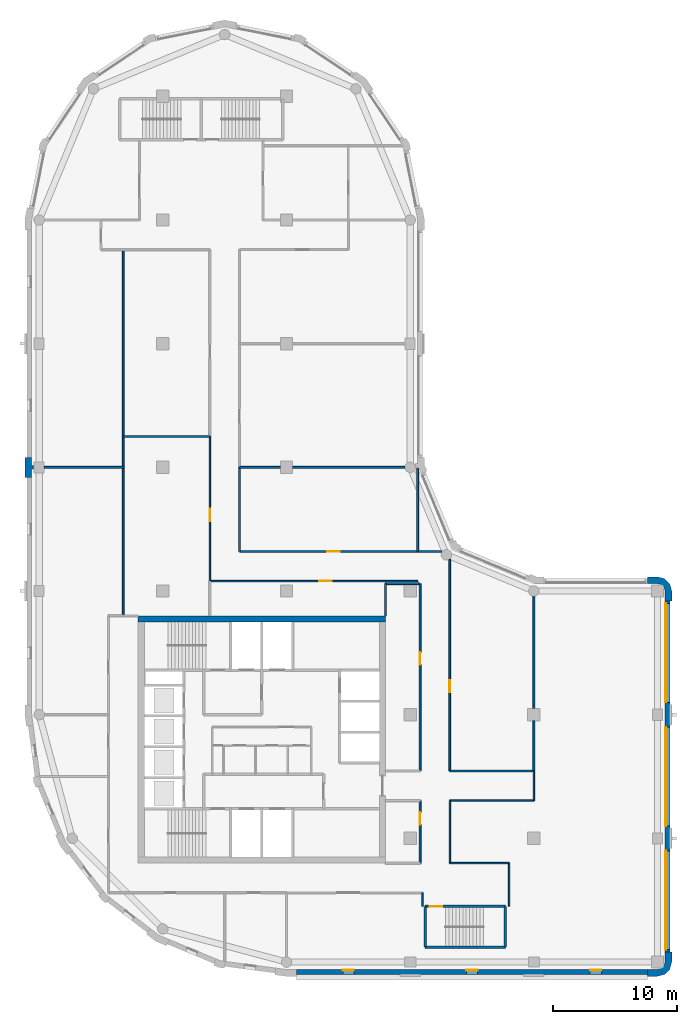
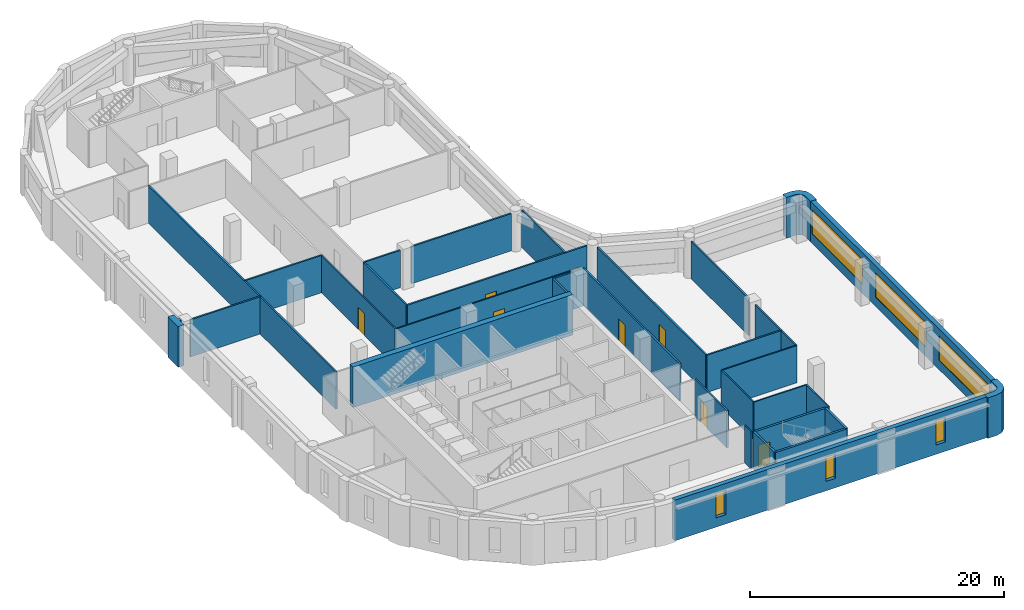
# One storey, part 4 of 9: 34 walls, 7 doors, 6 windows, 13 openings.
"""IFC4 building model written with IfcOpenShell, lengths in metres."""

from ifc_helpers import new_model, si_unit, direction, frame, frame_2d, origin, place, context, subcontext, project, spatial, polyline, rectangle, outline, extrude, material, layer, layer_set, type_object, element, fill, save


model = new_model("IFC4")

# Units and contexts
model_context = context("Model", 3, precision=1e-05, world=origin(), true_north=direction((0.0, 1.0)))
body_context = subcontext(model_context, "Body", "Model", "MODEL_VIEW")
ifc_project = project(units=[si_unit("LENGTHUNIT", "METRE"), si_unit("AREAUNIT", "SQUARE_METRE"), si_unit("VOLUMEUNIT", "CUBIC_METRE"), si_unit("PLANEANGLEUNIT", "RADIAN"), si_unit("MASSUNIT", "GRAM", prefix="KILO")], contexts=[model_context])

# Site, building, storey
site_placement = place(None, origin())
site = spatial("IfcSite", under=ifc_project, at=site_placement, CompositionType="ELEMENT")
building_placement = place(site_placement, origin())
building = spatial("IfcBuilding", under=site, at=building_placement, Name="Qaws Garden Tower", CompositionType="ELEMENT")
storey_placement = place(building_placement, frame((0.0, 0.0, 270.89990234375)))
storey = spatial("IfcBuildingStorey", under=building, at=storey_placement, Name="L65", CompositionType="ELEMENT", Elevation=270.89990234375)

# Walls
ifc_material_1 = material(Name="Clay facing brick masonry", Category="masonry")
ifc_layer_1 = layer(ifc_material_1, 0.550048828125)
ifc_layer_set_1 = layer_set([ifc_layer_1], Name="Clay facing brick masonry")
wall_type_1 = type_object("IfcWallType", Name="Brick corner pier 550 x 2400", PredefinedType="SOLIDWALL", material=ifc_layer_set_1)
placement = place(storey_placement, origin())
element("IfcWall", 1, at=placement, inside=storey, type_object=wall_type_1, Name="E-L65-pier-03", PredefinedType="SOLIDWALL", context=body_context, shape_type="SweptSolid", body=[
    extrude(outline(polyline([(49.199951171875, -1.0), (49.199951171875, -1.14990234375), (50.0, -1.14990234375), (50.574951171875, -0.995849609375), (50.995849609375, -0.574951171875), (51.14990234375, 0.0), (51.14990234375, 0.800048828125), (51.0, 0.800048828125), (50.60009765625, 0.800048828125), (50.60009765625, 0.0), (50.51953125, -0.300048828125), (50.300048828125, -0.51953125), (50.0, -0.60009765625), (49.199951171875, -0.60009765625), (49.199951171875, -1.0)])), origin(), (0.0, 0.0, 1.0), 3.900146484375),
])
element("IfcWall", 2, at=placement, inside=storey, type_object=wall_type_1, Name="E-L65-pier-06", PredefinedType="SOLIDWALL", context=body_context, shape_type="SweptSolid", body=[
    extrude(outline(polyline([(51.0, 29.199951171875), (51.14990234375, 29.199951171875), (51.14990234375, 30.0), (50.995849609375, 30.574951171875), (50.574951171875, 30.995849609375), (50.0, 31.14990234375), (49.199951171875, 31.14990234375), (49.199951171875, 31.0), (49.199951171875, 30.60009765625), (50.0, 30.60009765625), (50.300048828125, 30.51953125), (50.51953125, 30.300048828125), (50.60009765625, 30.0), (50.60009765625, 29.199951171875), (51.0, 29.199951171875)])), origin(), (0.0, 0.0, 1.0), 3.900146484375),
])

# Wall, openings, windows
ifc_material_2 = material(Name="Clay facing brick masonry", Category="masonry")
ifc_layer_2 = layer(ifc_material_2, 0.39990234375)
ifc_layer_set_2 = layer_set([ifc_layer_2], Name="Clay facing brick masonry")
wall_type_2 = type_object("IfcWallType", Name="Brick infill wall 400", PredefinedType="SOLIDWALL", material=ifc_layer_set_2)
wall_3_placement = place(storey_placement, frame((20.800048828125, -0.800048828125, 0.0), z_axis=(0.0, 0.0, 1.0), x_axis=(1.0, 0.0, 0.0)))
wall_3 = element("IfcWall", 3, at=wall_3_placement, inside=storey, type_object=wall_type_2, Name="E-L65-infill-00", PredefinedType="SOLIDWALL", context=body_context, shape_type="SweptSolid", body=[
    extrude(rectangle(XDim=28.39990234375, YDim=0.39990234375, at=frame_2d((14.199951171875, 0.0))), origin(), (0.0, 0.0, 1.0), 3.900146484375),
])
opening_1_placement = place(wall_3_placement, frame((3.75, 0.0, 0.89990234375)))
opening_1 = element("IfcOpeningElement", 4, at=opening_1_placement, cuts=wall_3, Name="Opening W09", PredefinedType="OPENING", context=body_context, shape_type="SweptSolid", body=[
    extrude(rectangle(XDim=0.89990234375, YDim=2.35009765625, at=frame_2d((0.449951171875, 1.175048828125))), frame((0.0, 0.2099609375, 0.0), z_axis=(0.0, -1.0, 0.0), x_axis=(1.0, 0.0, 0.0)), (0.0, 0.0, 1.0), 0.419921875),
])
opening_2_placement = place(wall_3_placement, frame((13.75, 0.0, 0.89990234375)))
opening_2 = element("IfcOpeningElement", 5, at=opening_2_placement, cuts=wall_3, Name="Opening W09", PredefinedType="OPENING", context=body_context, shape_type="SweptSolid", body=[
    extrude(rectangle(XDim=0.89990234375, YDim=2.35009765625, at=frame_2d((0.449951171875, 1.175048828125))), frame((0.0, 0.2099609375, 0.0), z_axis=(0.0, -1.0, 0.0), x_axis=(1.0, 0.0, 0.0)), (0.0, 0.0, 1.0), 0.419921875),
])
opening_3_placement = place(wall_3_placement, frame((23.75, 0.0, 0.89990234375)))
opening_3 = element("IfcOpeningElement", 6, at=opening_3_placement, cuts=wall_3, Name="Opening W09", PredefinedType="OPENING", context=body_context, shape_type="SweptSolid", body=[
    extrude(rectangle(XDim=0.89990234375, YDim=2.35009765625, at=frame_2d((0.449951171875, 1.175048828125))), frame((0.0, 0.2099609375, 0.0), z_axis=(0.0, -1.0, 0.0), x_axis=(1.0, 0.0, 0.0)), (0.0, 0.0, 1.0), 0.419921875),
])
ifc_material_3 = material(Name="Aluminium framed window, clear glazing", Category="aluminium")
window_type_1 = type_object("IfcWindowType", Name="Slit window 900 x 2350", PartitioningType="SINGLE_PANEL", PredefinedType="WINDOW", material=ifc_material_3)
window_1_placement = place(opening_1_placement, origin())
window_1 = element("IfcWindow", 7, at=window_1_placement, inside=storey, type_object=window_type_1, Name="E-L65-window-00-0", OverallHeight=2.35009765625, OverallWidth=0.89990234375, PartitioningType="SINGLE_PANEL", PredefinedType="WINDOW", context=body_context, shape_type="SweptSolid", body=[
    extrude(rectangle(XDim=0.89990234375, YDim=2.35009765625, at=frame_2d((0.449951171875, 1.175048828125))), frame((0.0, 0.159912109375, 0.0), z_axis=(0.0, -1.0, 0.0), x_axis=(1.0, 0.0, 0.0)), (0.0, 0.0, 1.0), 0.06005859375),
])
fill(opening_1, window_1)
window_2_placement = place(opening_2_placement, origin())
window_2 = element("IfcWindow", 8, at=window_2_placement, inside=storey, type_object=window_type_1, Name="E-L65-window-01-0", OverallHeight=2.35009765625, OverallWidth=0.89990234375, PartitioningType="SINGLE_PANEL", PredefinedType="WINDOW", context=body_context, shape_type="SweptSolid", body=[
    extrude(rectangle(XDim=0.89990234375, YDim=2.35009765625, at=frame_2d((0.449951171875, 1.175048828125))), frame((0.0, 0.159912109375, 0.0), z_axis=(0.0, -1.0, 0.0), x_axis=(1.0, 0.0, 0.0)), (0.0, 0.0, 1.0), 0.06005859375),
])
fill(opening_2, window_2)
window_3_placement = place(opening_3_placement, origin())
window_3 = element("IfcWindow", 9, at=window_3_placement, inside=storey, type_object=window_type_1, Name="E-L65-window-02-0", OverallHeight=2.35009765625, OverallWidth=0.89990234375, PartitioningType="SINGLE_PANEL", PredefinedType="WINDOW", context=body_context, shape_type="SweptSolid", body=[
    extrude(rectangle(XDim=0.89990234375, YDim=2.35009765625, at=frame_2d((0.449951171875, 1.175048828125))), frame((0.0, 0.159912109375, 0.0), z_axis=(0.0, -1.0, 0.0), x_axis=(1.0, 0.0, 0.0)), (0.0, 0.0, 1.0), 0.06005859375),
])
fill(opening_3, window_3)

wall_4_placement = place(storey_placement, frame((50.800048828125, 0.800048828125, 0.0), z_axis=(0.0, 0.0, 1.0), x_axis=(0.0, 1.0, 0.0)))
wall_4 = element("IfcWall", 10, at=wall_4_placement, inside=storey, type_object=wall_type_2, Name="E-L65-infill-03", PredefinedType="SOLIDWALL", context=body_context, shape_type="SweptSolid", body=[
    extrude(rectangle(XDim=28.39990234375, YDim=0.39990234375, at=frame_2d((14.199951171875, 0.0))), origin(), (0.0, 0.0, 1.0), 3.900146484375),
])
opening_4_placement = place(wall_4_placement, frame((0.199951171875, 0.0, 0.89990234375)))
opening_4 = element("IfcOpeningElement", 11, at=opening_4_placement, cuts=wall_4, Name="Opening W01", PredefinedType="OPENING", context=body_context, shape_type="SweptSolid", body=[
    extrude(rectangle(XDim=8.0, YDim=2.35009765625, at=frame_2d((4.0, 1.175048828125))), frame((0.0, 0.2099609375, 0.0), z_axis=(0.0, -1.0, 0.0), x_axis=(1.0, 0.0, 0.0)), (0.0, 0.0, 1.0), 0.419921875),
])
opening_5_placement = place(wall_4_placement, frame((10.199951171875, 0.0, 0.89990234375)))
opening_5 = element("IfcOpeningElement", 12, at=opening_5_placement, cuts=wall_4, Name="Opening W01", PredefinedType="OPENING", context=body_context, shape_type="SweptSolid", body=[
    extrude(rectangle(XDim=8.0, YDim=2.35009765625, at=frame_2d((4.0, 1.175048828125))), frame((0.0, 0.2099609375, 0.0), z_axis=(0.0, -1.0, 0.0), x_axis=(1.0, 0.0, 0.0)), (0.0, 0.0, 1.0), 0.419921875),
])
opening_6_placement = place(wall_4_placement, frame((20.199951171875, 0.0, 0.89990234375)))
opening_6 = element("IfcOpeningElement", 13, at=opening_6_placement, cuts=wall_4, Name="Opening W01", PredefinedType="OPENING", context=body_context, shape_type="SweptSolid", body=[
    extrude(rectangle(XDim=8.0, YDim=2.35009765625, at=frame_2d((4.0, 1.175048828125))), frame((0.0, 0.2099609375, 0.0), z_axis=(0.0, -1.0, 0.0), x_axis=(1.0, 0.0, 0.0)), (0.0, 0.0, 1.0), 0.419921875),
])
ifc_material_4 = material(Name="Aluminium framed window, clear glazing", Category="aluminium")
window_type_2 = type_object("IfcWindowType", Name="Ribbon window 8000 x 2350", PartitioningType="DOUBLE_PANEL_VERTICAL", PredefinedType="WINDOW", material=ifc_material_4)
window_4_placement = place(opening_4_placement, origin())
window_4 = element("IfcWindow", 14, at=window_4_placement, inside=storey, type_object=window_type_2, Name="E-L65-window-03-0", OverallHeight=2.35009765625, OverallWidth=8.0, PartitioningType="SINGLE_PANEL", PredefinedType="WINDOW", context=body_context, shape_type="SweptSolid", body=[
    extrude(rectangle(XDim=8.0, YDim=2.35009765625, at=frame_2d((4.0, 1.175048828125))), frame((0.0, 0.159912109375, 0.0), z_axis=(0.0, -1.0, 0.0), x_axis=(1.0, 0.0, 0.0)), (0.0, 0.0, 1.0), 0.06005859375),
])
fill(opening_4, window_4)
window_5_placement = place(opening_5_placement, origin())
window_5 = element("IfcWindow", 15, at=window_5_placement, inside=storey, type_object=window_type_2, Name="E-L65-window-04-0", OverallHeight=2.35009765625, OverallWidth=8.0, PartitioningType="SINGLE_PANEL", PredefinedType="WINDOW", context=body_context, shape_type="SweptSolid", body=[
    extrude(rectangle(XDim=8.0, YDim=2.35009765625, at=frame_2d((4.0, 1.175048828125))), frame((0.0, 0.159912109375, 0.0), z_axis=(0.0, -1.0, 0.0), x_axis=(1.0, 0.0, 0.0)), (0.0, 0.0, 1.0), 0.06005859375),
])
fill(opening_5, window_5)
window_6_placement = place(opening_6_placement, origin())
window_6 = element("IfcWindow", 16, at=window_6_placement, inside=storey, type_object=window_type_2, Name="E-L65-window-05-0", OverallHeight=2.35009765625, OverallWidth=8.0, PartitioningType="SINGLE_PANEL", PredefinedType="WINDOW", context=body_context, shape_type="SweptSolid", body=[
    extrude(rectangle(XDim=8.0, YDim=2.35009765625, at=frame_2d((4.0, 1.175048828125))), frame((0.0, 0.159912109375, 0.0), z_axis=(0.0, -1.0, 0.0), x_axis=(1.0, 0.0, 0.0)), (0.0, 0.0, 1.0), 0.06005859375),
])
fill(opening_6, window_6)

# Walls
ifc_material_5 = material(Name="Clay facing brick masonry", Category="masonry")
ifc_layer_3 = layer(ifc_material_5, 0.550048828125)
ifc_layer_set_3 = layer_set([ifc_layer_3], Name="Clay facing brick masonry")
wall_type_3 = type_object("IfcWallType", Name="Brick pier 550 x 1600", PredefinedType="SOLIDWALL", material=ifc_layer_set_3)
element("IfcWall", 17, at=placement, inside=storey, type_object=wall_type_3, Name="E-L65-pier-21", PredefinedType="SOLIDWALL", context=body_context, shape_type="SweptSolid", body=[
    extrude(outline(polyline([(-0.60009765625, 39.199951171875), (-0.60009765625, 39.85009765625), (-0.449951171875, 39.85009765625), (-0.449951171875, 40.14990234375), (-0.60009765625, 40.14990234375), (-0.60009765625, 40.800048828125), (-1.0, 40.800048828125), (-1.14990234375, 40.800048828125), (-1.14990234375, 40.0), (-1.14990234375, 39.199951171875), (-1.0, 39.199951171875), (-0.60009765625, 39.199951171875)])), origin(), (0.0, 0.0, 1.0), 3.900146484375),
])
ifc_material_6 = material(Name="Concrete C60", Category="concrete")
ifc_layer_4 = layer(ifc_material_6, 0.199951171875)
ifc_layer_set_4 = layer_set([ifc_layer_4], Name="Concrete C60")
wall_type_4 = type_object("IfcWallType", Name="Core shaft wall 200 C60", PredefinedType="SHEAR", material=ifc_layer_set_4)
wall_6_placement = place(storey_placement, frame((31.199951171875, 1.199951171875, 0.0), z_axis=(0.0, 0.0, 1.0), x_axis=(1.0, 0.0, 0.0)))
element("IfcWall", 18, at=wall_6_placement, inside=storey, type_object=wall_type_4, Name="Shaft wall", PredefinedType="SHEAR", context=body_context, shape_type="SweptSolid", body=[
    extrude(rectangle(XDim=6.5, YDim=0.199951171875, at=frame_2d((3.25, 0.0))), origin(), (0.0, 0.0, 1.0), 3.580078125),
])

# Wall, opening, door
wall_7_placement = place(storey_placement, frame((31.199951171875, 4.5, 0.0), z_axis=(0.0, 0.0, 1.0), x_axis=(1.0, 0.0, 0.0)))
wall_7 = element("IfcWall", 19, at=wall_7_placement, inside=storey, type_object=wall_type_4, Name="Shaft wall", PredefinedType="SHEAR", context=body_context, shape_type="SweptSolid", body=[
    extrude(rectangle(XDim=6.5, YDim=0.199951171875, at=frame_2d((3.25, 0.0))), origin(), (0.0, 0.0, 1.0), 3.580078125),
])
opening_7_placement = place(wall_7_placement, frame((0.375, 0.0, 0.0)))
opening_7 = element("IfcOpeningElement", 20, at=opening_7_placement, cuts=wall_7, Name="Opening SD12", PredefinedType="OPENING", context=body_context, shape_type="SweptSolid", body=[
    extrude(rectangle(XDim=1.0, YDim=2.10009765625, at=frame_2d((0.5, 1.050048828125))), frame((0.0, 0.10986328125, 0.0), z_axis=(0.0, -1.0, 0.0), x_axis=(1.0, 0.0, 0.0)), (0.0, 0.0, 1.0), 0.219970703125),
])
ifc_material_7 = material(Name="Steel S235", Category="steel")
door_type_1 = type_object("IfcDoorType", Name="Stair door 1000x2100", OperationType="SINGLE_SWING_RIGHT", PredefinedType="DOOR", material=ifc_material_7)
door_1_placement = place(opening_7_placement, frame((1.0, 0.0, 0.0), z_axis=(0.0, 0.0, 1.0), x_axis=(-1.0, 0.0, 0.0)))
door_1 = element("IfcDoor", 21, at=door_1_placement, inside=storey, type_object=door_type_1, Name="Stair 5 door", OperationType="SINGLE_SWING_RIGHT", OverallHeight=2.10009765625, OverallWidth=1.0, PredefinedType="DOOR", context=body_context, shape_type="SweptSolid", body=[
    extrude(rectangle(XDim=1.0, YDim=2.10009765625, at=frame_2d((0.5, 1.050048828125))), frame((0.0, 0.02490234375, 0.0), z_axis=(0.0, -1.0, 0.0), x_axis=(1.0, 0.0, 0.0)), (0.0, 0.0, 1.0), 0.050048828125),
])
fill(opening_7, door_1)

# Walls
for number, where, z_axis, x_axis, name in (
    (22, (31.199951171875, 1.199951171875, 0.0), (0.0, 0.0, 1.0), (0.0, 1.0, 0.0), "Shaft wall"),
    (23, (37.699951171875, 1.199951171875, 0.0), (0.0, 0.0, 1.0), (0.0, 1.0, 0.0), "Shaft wall"),
):
    element("IfcWall", number, at=place(storey_placement, frame(where, z_axis=z_axis, x_axis=x_axis)), inside=storey, type_object=wall_type_4, Name=name, PredefinedType="SHEAR", context=body_context, shape_type="SweptSolid", body=[
        extrude(rectangle(XDim=3.300048828125, YDim=0.199951171875, at=frame_2d((1.64990234375, 0.0))), origin(), (0.0, 0.0, 1.0), 3.580078125),
    ])
ifc_material_8 = material(Name="Concrete C60", Category="concrete")
ifc_layer_5 = layer(ifc_material_8, 0.5)
ifc_layer_set_5 = layer_set([ifc_layer_5], Name="Concrete C60")
wall_type_5 = type_object("IfcWallType", Name="Core wall 500 C60", PredefinedType="SHEAR", material=ifc_layer_set_5)
wall_8_placement = place(storey_placement, frame((28.0, 27.75, 0.0), z_axis=(0.0, 0.0, 1.0), x_axis=(-1.0, 0.0, 0.0)))
element("IfcWall", 24, at=wall_8_placement, inside=storey, type_object=wall_type_5, Name="Core wall L65 north", PredefinedType="SHEAR", context=body_context, shape_type="SweptSolid", body=[
    extrude(rectangle(XDim=20.0, YDim=0.5, at=frame_2d((10.0, 0.0))), origin(), (0.0, 0.0, 1.0), 3.900146484375),
])

# Wall, opening, door
ifc_material_9 = material(Name="Glass and aluminium framing", Category="aluminium")
ifc_layer_6 = layer(ifc_material_9, 0.1201171875)
ifc_layer_set_6 = layer_set([ifc_layer_6], Name="Glass and aluminium framing")
wall_type_6 = type_object("IfcWallType", Name="GLAZED PARTITION 120 EI 30", PredefinedType="PARTITIONING", material=ifc_layer_set_6)
wall_9_placement = place(storey_placement, frame((13.800048828125, 30.800048828125, 0.0), z_axis=(0.0, 0.0, 1.0), x_axis=(0.0, 1.0, 0.0)))
wall_9 = element("IfcWall", 25, at=wall_9_placement, inside=storey, type_object=wall_type_6, Name="O-L65-wall-041", PredefinedType="PARTITIONING", context=body_context, shape_type="SweptSolid", body=[
    extrude(rectangle(XDim=11.699951171875, YDim=0.1201171875, at=frame_2d((5.85009765625, 0.0))), origin(), (0.0, 0.0, 1.0), 3.580078125),
])
opening_8_placement = place(wall_9_placement, frame((4.85009765625, 0.0, 0.0)))
opening_8 = element("IfcOpeningElement", 26, at=opening_8_placement, cuts=wall_9, Name="Opening C217", PredefinedType="OPENING", context=body_context, shape_type="SweptSolid", body=[
    extrude(rectangle(XDim=1.0, YDim=2.10009765625, at=frame_2d((0.5, 1.050048828125))), frame((0.0, 0.070068359375, 0.0), z_axis=(0.0, -1.0, 0.0), x_axis=(1.0, 0.0, 0.0)), (0.0, 0.0, 1.0), 0.14013671875),
])
ifc_material_10 = material(Name="Timber door leaf", Category="wood")
door_type_2 = type_object("IfcDoorType", Name="TENANCY ENTRANCE DOOR 1000 X 2100", OperationType="SINGLE_SWING_LEFT", PredefinedType="DOOR", material=ifc_material_10)
door_2_placement = place(opening_8_placement, origin())
door_2 = element("IfcDoor", 27, at=door_2_placement, inside=storey, type_object=door_type_2, Name="O-L65-door-017", OperationType="SINGLE_SWING_LEFT", OverallHeight=2.10009765625, OverallWidth=1.0, PredefinedType="DOOR", context=body_context, shape_type="SweptSolid", body=[
    extrude(rectangle(XDim=1.0, YDim=2.10009765625, at=frame_2d((0.5, 1.050048828125))), frame((0.0, 0.02490234375, 0.0), z_axis=(0.0, -1.0, 0.0), x_axis=(1.0, 0.0, 0.0)), (0.0, 0.0, 1.0), 0.050048828125),
])
fill(opening_8, door_2)

# Walls
wall_10_placement = place(storey_placement, frame((31.0, 4.5, 0.0), z_axis=(0.0, 0.0, 1.0), x_axis=(0.0, 1.0, 0.0)))
element("IfcWall", 28, at=wall_10_placement, inside=storey, type_object=wall_type_6, Name="O-L65-wall-045", PredefinedType="PARTITIONING", context=body_context, shape_type="SweptSolid", body=[
    extrude(rectangle(XDim=1.10009765625, YDim=0.1201171875, at=frame_2d((0.550048828125, 0.0))), origin(), (0.0, 0.0, 1.0), 3.580078125),
])
wall_11_placement = place(storey_placement, frame((33.199951171875, 8.0, 0.0), z_axis=(0.0, 0.0, 1.0), x_axis=(0.0, 1.0, 0.0)))
element("IfcWall", 29, at=wall_11_placement, inside=storey, type_object=wall_type_6, Name="O-L65-wall-046", PredefinedType="PARTITIONING", context=body_context, shape_type="SweptSolid", body=[
    extrude(rectangle(XDim=5.050048828125, YDim=0.1201171875, at=frame_2d((2.52490234375, 0.0))), origin(), (0.0, 0.0, 1.0), 3.580078125),
])
wall_12_placement = place(storey_placement, frame((38.0, 4.5, 0.0), z_axis=(0.0, 0.0, 1.0), x_axis=(0.0, 1.0, 0.0)))
element("IfcWall", 30, at=wall_12_placement, inside=storey, type_object=wall_type_6, Name="O-L65-wall-047", PredefinedType="PARTITIONING", context=body_context, shape_type="SweptSolid", body=[
    extrude(rectangle(XDim=3.5, YDim=0.1201171875, at=frame_2d((1.75, 0.0))), origin(), (0.0, 0.0, 1.0), 3.580078125),
])
wall_13_placement = place(storey_placement, frame((40.0, 13.050048828125, 0.0), z_axis=(0.0, 0.0, 1.0), x_axis=(0.0, 1.0, 0.0)))
element("IfcWall", 31, at=wall_13_placement, inside=storey, type_object=wall_type_6, Name="O-L65-wall-048", PredefinedType="PARTITIONING", context=body_context, shape_type="SweptSolid", body=[
    extrude(rectangle(XDim=2.39990234375, YDim=0.1201171875, at=frame_2d((1.199951171875, 0.0))), origin(), (0.0, 0.0, 1.0), 3.580078125),
])
wall_14_placement = place(storey_placement, frame((33.199951171875, 8.0, 0.0), z_axis=(0.0, 0.0, 1.0), x_axis=(1.0, 0.0, 0.0)))
element("IfcWall", 32, at=wall_14_placement, inside=storey, type_object=wall_type_6, Name="O-L65-wall-050", PredefinedType="PARTITIONING", context=body_context, shape_type="SweptSolid", body=[
    extrude(rectangle(XDim=4.800048828125, YDim=0.1201171875, at=frame_2d((2.39990234375, 0.0))), origin(), (0.0, 0.0, 1.0), 3.580078125),
])
wall_15_placement = place(storey_placement, frame((33.199951171875, 13.050048828125, 0.0), z_axis=(0.0, 0.0, 1.0), x_axis=(1.0, 0.0, 0.0)))
element("IfcWall", 33, at=wall_15_placement, inside=storey, type_object=wall_type_6, Name="O-L65-wall-051", PredefinedType="PARTITIONING", context=body_context, shape_type="SweptSolid", body=[
    extrude(rectangle(XDim=6.800048828125, YDim=0.1201171875, at=frame_2d((3.39990234375, 0.0))), origin(), (0.0, 0.0, 1.0), 3.580078125),
])

# Wall, opening, door
wall_16_placement = place(storey_placement, frame((13.802001953125, 30.800048828125, 0.0), z_axis=(0.0, 0.0, 1.0), x_axis=(1.0, 0.0, 0.0)))
wall_16 = element("IfcWall", 34, at=wall_16_placement, inside=storey, type_object=wall_type_6, Name="O-L65-wall-053", PredefinedType="PARTITIONING", context=body_context, shape_type="SweptSolid", body=[
    extrude(rectangle(XDim=16.798095703125, YDim=0.1201171875, at=frame_2d((8.39892578125, 0.0))), origin(), (0.0, 0.0, 1.0), 3.580078125),
])
opening_9_placement = place(wall_16_placement, frame((8.85009765625, 0.0, 0.0)))
opening_9 = element("IfcOpeningElement", 35, at=opening_9_placement, cuts=wall_16, Name="Opening C210", PredefinedType="OPENING", context=body_context, shape_type="SweptSolid", body=[
    extrude(rectangle(XDim=1.0, YDim=2.10009765625, at=frame_2d((0.5, 1.050048828125))), frame((0.0, 0.070068359375, 0.0), z_axis=(0.0, -1.0, 0.0), x_axis=(1.0, 0.0, 0.0)), (0.0, 0.0, 1.0), 0.14013671875),
])
door_3_placement = place(opening_9_placement, frame((1.0, 0.0, 0.0), z_axis=(0.0, 0.0, 1.0), x_axis=(-1.0, 0.0, 0.0)))
door_3 = element("IfcDoor", 36, at=door_3_placement, inside=storey, type_object=door_type_2, Name="O-L65-door-010", OperationType="SINGLE_SWING_LEFT", OverallHeight=2.10009765625, OverallWidth=1.0, PredefinedType="DOOR", context=body_context, shape_type="SweptSolid", body=[
    extrude(rectangle(XDim=1.0, YDim=2.10009765625, at=frame_2d((0.5, 1.050048828125))), frame((0.0, 0.02490234375, 0.0), z_axis=(0.0, -1.0, 0.0), x_axis=(1.0, 0.0, 0.0)), (0.0, 0.0, 1.0), 0.050048828125),
])
fill(opening_9, door_3)

# Walls
ifc_material_11 = material(Name="Gypsum board partition")
ifc_layer_7 = layer(ifc_material_11, 0.14990234375)
ifc_layer_set_7 = layer_set([ifc_layer_7], Name="Gypsum board partition")
wall_type_7 = type_object("IfcWallType", Name="PARTITION 150 EI 60", PredefinedType="PARTITIONING", material=ifc_layer_set_7)
wall_17_placement = place(storey_placement, frame((6.800048828125, 28.0, 0.0), z_axis=(0.0, 0.0, 1.0), x_axis=(0.0, 1.0, 0.0)))
element("IfcWall", 37, at=wall_17_placement, inside=storey, type_object=wall_type_7, Name="O-L65-wall-004", PredefinedType="PARTITIONING", context=body_context, shape_type="SweptSolid", body=[
    extrude(rectangle(XDim=29.60009765625, YDim=0.14990234375, at=frame_2d((14.800048828125, 0.0))), origin(), (0.0, 0.0, 1.0), 3.580078125),
])
wall_18_placement = place(storey_placement, frame((16.199951171875, 33.199951171875, 0.0), z_axis=(0.0, 0.0, 1.0), x_axis=(0.0, 1.0, 0.0)))
element("IfcWall", 38, at=wall_18_placement, inside=storey, type_object=wall_type_7, Name="O-L65-wall-008", PredefinedType="PARTITIONING", context=body_context, shape_type="SweptSolid", body=[
    extrude(rectangle(XDim=6.800048828125, YDim=0.14990234375, at=frame_2d((3.39990234375, 0.0))), origin(), (0.0, 0.0, 1.0), 3.580078125),
])
wall_19_placement = place(storey_placement, frame((28.0, 28.0, 0.0), z_axis=(0.0, 0.0, 1.0), x_axis=(0.0, 1.0, 0.0)))
element("IfcWall", 39, at=wall_19_placement, inside=storey, type_object=wall_type_7, Name="O-L65-wall-011", PredefinedType="PARTITIONING", context=body_context, shape_type="SweptSolid", body=[
    extrude(rectangle(XDim=2.597900390625, YDim=0.14990234375, at=frame_2d((1.298828125, 0.0))), origin(), (0.0, 0.0, 1.0), 3.580078125),
])
wall_20_placement = place(storey_placement, frame((30.60009765625, 33.199951171875, 0.0), z_axis=(0.0, 0.0, 1.0), x_axis=(0.0, 1.0, 0.0)))
element("IfcWall", 40, at=wall_20_placement, inside=storey, type_object=wall_type_7, Name="O-L65-wall-012", PredefinedType="PARTITIONING", context=body_context, shape_type="SweptSolid", body=[
    extrude(rectangle(XDim=6.73828125, YDim=0.14990234375, at=frame_2d((3.369140625, 0.0))), origin(), (0.0, 0.0, 1.0), 3.580078125),
])

# Wall, opening, door
wall_21_placement = place(storey_placement, frame((30.800048828125, 8.0, 0.0), z_axis=(0.0, 0.0, 1.0), x_axis=(0.0, 1.0, 0.0)))
wall_21 = element("IfcWall", 41, at=wall_21_placement, inside=storey, type_object=wall_type_7, Name="O-L65-wall-013", PredefinedType="PARTITIONING", context=body_context, shape_type="SweptSolid", body=[
    extrude(rectangle(XDim=5.050048828125, YDim=0.14990234375, at=frame_2d((2.52490234375, 0.0))), origin(), (0.0, 0.0, 1.0), 3.580078125),
])
opening_10_placement = place(wall_21_placement, frame((3.10009765625, 0.0, 0.0)))
opening_10 = element("IfcOpeningElement", 42, at=opening_10_placement, cuts=wall_21, Name="Opening C216", PredefinedType="OPENING", context=body_context, shape_type="SweptSolid", body=[
    extrude(rectangle(XDim=1.0, YDim=2.10009765625, at=frame_2d((0.5, 1.050048828125))), frame((0.0, 0.0849609375, 0.0), z_axis=(0.0, -1.0, 0.0), x_axis=(1.0, 0.0, 0.0)), (0.0, 0.0, 1.0), 0.169921875),
])
door_4_placement = place(opening_10_placement, origin())
door_4 = element("IfcDoor", 43, at=door_4_placement, inside=storey, type_object=door_type_2, Name="O-L65-door-016", OperationType="SINGLE_SWING_RIGHT", OverallHeight=2.10009765625, OverallWidth=1.0, PredefinedType="DOOR", context=body_context, shape_type="SweptSolid", body=[
    extrude(rectangle(XDim=1.0, YDim=2.10009765625, at=frame_2d((0.5, 1.050048828125))), frame((0.0, 0.02490234375, 0.0), z_axis=(0.0, -1.0, 0.0), x_axis=(1.0, 0.0, 0.0)), (0.0, 0.0, 1.0), 0.050048828125),
])
fill(opening_10, door_4)

wall_22_placement = place(storey_placement, frame((30.800048828125, 15.449951171875, 0.0), z_axis=(0.0, 0.0, 1.0), x_axis=(0.0, 1.0, 0.0)))
wall_22 = element("IfcWall", 44, at=wall_22_placement, inside=storey, type_object=wall_type_7, Name="O-L65-wall-014", PredefinedType="PARTITIONING", context=body_context, shape_type="SweptSolid", body=[
    extrude(rectangle(XDim=15.150146484375, YDim=0.14990234375, at=frame_2d((7.5751953125, 0.0))), origin(), (0.0, 0.0, 1.0), 3.580078125),
])
opening_11_placement = place(wall_22_placement, frame((8.60009765625, 0.0, 0.0)))
opening_11 = element("IfcOpeningElement", 45, at=opening_11_placement, cuts=wall_22, Name="Opening C213", PredefinedType="OPENING", context=body_context, shape_type="SweptSolid", body=[
    extrude(rectangle(XDim=1.0, YDim=2.10009765625, at=frame_2d((0.5, 1.050048828125))), frame((0.0, 0.0849609375, 0.0), z_axis=(0.0, -1.0, 0.0), x_axis=(1.0, 0.0, 0.0)), (0.0, 0.0, 1.0), 0.169921875),
])
door_5_placement = place(opening_11_placement, origin())
door_5 = element("IfcDoor", 46, at=door_5_placement, inside=storey, type_object=door_type_2, Name="O-L65-door-013", OperationType="SINGLE_SWING_RIGHT", OverallHeight=2.10009765625, OverallWidth=1.0, PredefinedType="DOOR", context=body_context, shape_type="SweptSolid", body=[
    extrude(rectangle(XDim=1.0, YDim=2.10009765625, at=frame_2d((0.5, 1.050048828125))), frame((0.0, 0.02490234375, 0.0), z_axis=(0.0, -1.0, 0.0), x_axis=(1.0, 0.0, 0.0)), (0.0, 0.0, 1.0), 0.050048828125),
])
fill(opening_11, door_5)

wall_23_placement = place(storey_placement, frame((33.199951171875, 15.449951171875, 0.0), z_axis=(0.0, 0.0, 1.0), x_axis=(0.0, 1.0, 0.0)))
wall_23 = element("IfcWall", 47, at=wall_23_placement, inside=storey, type_object=wall_type_7, Name="O-L65-wall-015", PredefinedType="PARTITIONING", context=body_context, shape_type="SweptSolid", body=[
    extrude(rectangle(XDim=17.10205078125, YDim=0.14990234375, at=frame_2d((8.551025390625, 0.0))), origin(), (0.0, 0.0, 1.0), 3.580078125),
])
opening_12_placement = place(wall_23_placement, frame((6.35009765625, 0.0, 0.0)))
opening_12 = element("IfcOpeningElement", 48, at=opening_12_placement, cuts=wall_23, Name="Opening C214", PredefinedType="OPENING", context=body_context, shape_type="SweptSolid", body=[
    extrude(rectangle(XDim=1.0, YDim=2.10009765625, at=frame_2d((0.5, 1.050048828125))), frame((0.0, 0.0849609375, 0.0), z_axis=(0.0, -1.0, 0.0), x_axis=(1.0, 0.0, 0.0)), (0.0, 0.0, 1.0), 0.169921875),
])
door_6_placement = place(opening_12_placement, frame((1.0, 0.0, 0.0), z_axis=(0.0, 0.0, 1.0), x_axis=(-1.0, 0.0, 0.0)))
door_6 = element("IfcDoor", 49, at=door_6_placement, inside=storey, type_object=door_type_2, Name="O-L65-door-014", OperationType="SINGLE_SWING_LEFT", OverallHeight=2.10009765625, OverallWidth=1.0, PredefinedType="DOOR", context=body_context, shape_type="SweptSolid", body=[
    extrude(rectangle(XDim=1.0, YDim=2.10009765625, at=frame_2d((0.5, 1.050048828125))), frame((0.0, 0.02490234375, 0.0), z_axis=(0.0, -1.0, 0.0), x_axis=(1.0, 0.0, 0.0)), (0.0, 0.0, 1.0), 0.050048828125),
])
fill(opening_12, door_6)

# Walls
wall_24_placement = place(storey_placement, frame((40.0, 15.449951171875, 0.0), z_axis=(0.0, 0.0, 1.0), x_axis=(0.0, 1.0, 0.0)))
element("IfcWall", 50, at=wall_24_placement, inside=storey, type_object=wall_type_7, Name="O-L65-wall-016", PredefinedType="PARTITIONING", context=body_context, shape_type="SweptSolid", body=[
    extrude(rectangle(XDim=4.050048828125, YDim=0.14990234375, at=frame_2d((2.02490234375, 0.0))), origin(), (0.0, 0.0, 1.0), 3.580078125),
])
wall_25_placement = place(storey_placement, frame((40.0, 20.5, 0.0), z_axis=(0.0, 0.0, 1.0), x_axis=(0.0, 1.0, 0.0)))
element("IfcWall", 51, at=wall_25_placement, inside=storey, type_object=wall_type_7, Name="O-L65-wall-017", PredefinedType="PARTITIONING", context=body_context, shape_type="SweptSolid", body=[
    extrude(rectangle(XDim=9.074951171875, YDim=0.14990234375, at=frame_2d((4.53759765625, 0.0))), origin(), (0.0, 0.0, 1.0), 3.580078125),
])
wall_26_placement = place(storey_placement, frame((33.199951171875, 15.449951171875, 0.0), z_axis=(0.0, 0.0, 1.0), x_axis=(1.0, 0.0, 0.0)))
element("IfcWall", 52, at=wall_26_placement, inside=storey, type_object=wall_type_7, Name="O-L65-wall-023", PredefinedType="PARTITIONING", context=body_context, shape_type="SweptSolid", body=[
    extrude(rectangle(XDim=6.800048828125, YDim=0.14990234375, at=frame_2d((3.39990234375, 0.0))), origin(), (0.0, 0.0, 1.0), 3.580078125),
])
wall_27_placement = place(storey_placement, frame((28.001953125, 30.60009765625, 0.0), z_axis=(0.0, 0.0, 1.0), x_axis=(1.0, 0.0, 0.0)))
element("IfcWall", 53, at=wall_27_placement, inside=storey, type_object=wall_type_7, Name="O-L65-wall-026", PredefinedType="PARTITIONING", context=body_context, shape_type="SweptSolid", body=[
    extrude(rectangle(XDim=2.72314453125, YDim=0.14990234375, at=frame_2d((1.361572265625, 0.0))), origin(), (0.0, 0.0, 1.0), 3.580078125),
])

# Wall, opening, door
wall_28_placement = place(storey_placement, frame((16.199951171875, 33.199951171875, 0.0), z_axis=(0.0, 0.0, 1.0), x_axis=(1.0, 0.0, 0.0)))
wall_28 = element("IfcWall", 54, at=wall_28_placement, inside=storey, type_object=wall_type_7, Name="O-L65-wall-027", PredefinedType="PARTITIONING", context=body_context, shape_type="SweptSolid", body=[
    extrude(rectangle(XDim=16.35205078125, YDim=0.14990234375, at=frame_2d((8.176025390625, 0.0))), origin(), (0.0, 0.0, 1.0), 3.580078125),
])
opening_13_placement = place(wall_28_placement, frame((7.10009765625, 0.0, 0.0)))
opening_13 = element("IfcOpeningElement", 55, at=opening_13_placement, cuts=wall_28, Name="Opening C205", PredefinedType="OPENING", context=body_context, shape_type="SweptSolid", body=[
    extrude(rectangle(XDim=1.0, YDim=2.10009765625, at=frame_2d((0.5, 1.050048828125))), frame((0.0, 0.0849609375, 0.0), z_axis=(0.0, -1.0, 0.0), x_axis=(1.0, 0.0, 0.0)), (0.0, 0.0, 1.0), 0.169921875),
])
door_7_placement = place(opening_13_placement, origin())
door_7 = element("IfcDoor", 56, at=door_7_placement, inside=storey, type_object=door_type_2, Name="O-L65-door-005", OperationType="SINGLE_SWING_RIGHT", OverallHeight=2.10009765625, OverallWidth=1.0, PredefinedType="DOOR", context=body_context, shape_type="SweptSolid", body=[
    extrude(rectangle(XDim=1.0, YDim=2.10009765625, at=frame_2d((0.5, 1.050048828125))), frame((0.0, 0.02490234375, 0.0), z_axis=(0.0, -1.0, 0.0), x_axis=(1.0, 0.0, 0.0)), (0.0, 0.0, 1.0), 0.050048828125),
])
fill(opening_13, door_7)

# Walls
wall_29_placement = place(storey_placement, frame((0.39990234375, 40.0, 0.0), z_axis=(0.0, 0.0, 1.0), x_axis=(1.0, 0.0, 0.0)))
element("IfcWall", 57, at=wall_29_placement, inside=storey, type_object=wall_type_7, Name="O-L65-wall-028", PredefinedType="PARTITIONING", context=body_context, shape_type="SweptSolid", body=[
    extrude(rectangle(XDim=6.400146484375, YDim=0.14990234375, at=frame_2d((3.2001953125, 0.0))), origin(), (0.0, 0.0, 1.0), 3.580078125),
])
wall_30_placement = place(storey_placement, frame((16.199951171875, 40.0, 0.0), z_axis=(0.0, 0.0, 1.0), x_axis=(1.0, 0.0, 0.0)))
element("IfcWall", 58, at=wall_30_placement, inside=storey, type_object=wall_type_7, Name="O-L65-wall-029", PredefinedType="PARTITIONING", context=body_context, shape_type="SweptSolid", body=[
    extrude(rectangle(XDim=3.300048828125, YDim=0.14990234375, at=frame_2d((1.64990234375, 0.0))), origin(), (0.0, 0.0, 1.0), 3.580078125),
])
wall_31_placement = place(storey_placement, frame((20.5, 40.0, 0.0), z_axis=(0.0, 0.0, 1.0), x_axis=(1.0, 0.0, 0.0)))
element("IfcWall", 59, at=wall_31_placement, inside=storey, type_object=wall_type_7, Name="O-L65-wall-030", PredefinedType="PARTITIONING", context=body_context, shape_type="SweptSolid", body=[
    extrude(rectangle(XDim=9.074951171875, YDim=0.14990234375, at=frame_2d((4.53759765625, 0.0))), origin(), (0.0, 0.0, 1.0), 3.580078125),
])
wall_32_placement = place(storey_placement, frame((6.800048828125, 42.5, 0.0), z_axis=(0.0, 0.0, 1.0), x_axis=(1.0, 0.0, 0.0)))
element("IfcWall", 60, at=wall_32_placement, inside=storey, type_object=wall_type_7, Name="O-L65-wall-031", PredefinedType="PARTITIONING", context=body_context, shape_type="SweptSolid", body=[
    extrude(rectangle(XDim=7.0, YDim=0.14990234375, at=frame_2d((3.5, 0.0))), origin(), (0.0, 0.0, 1.0), 3.580078125),
])

save(model, "model.ifc")
